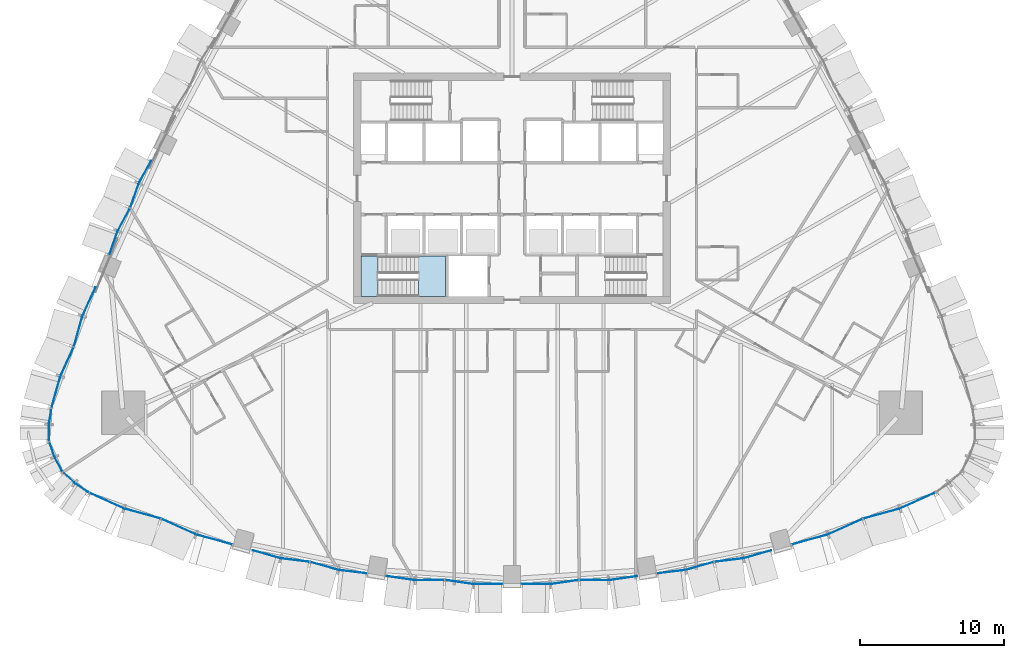
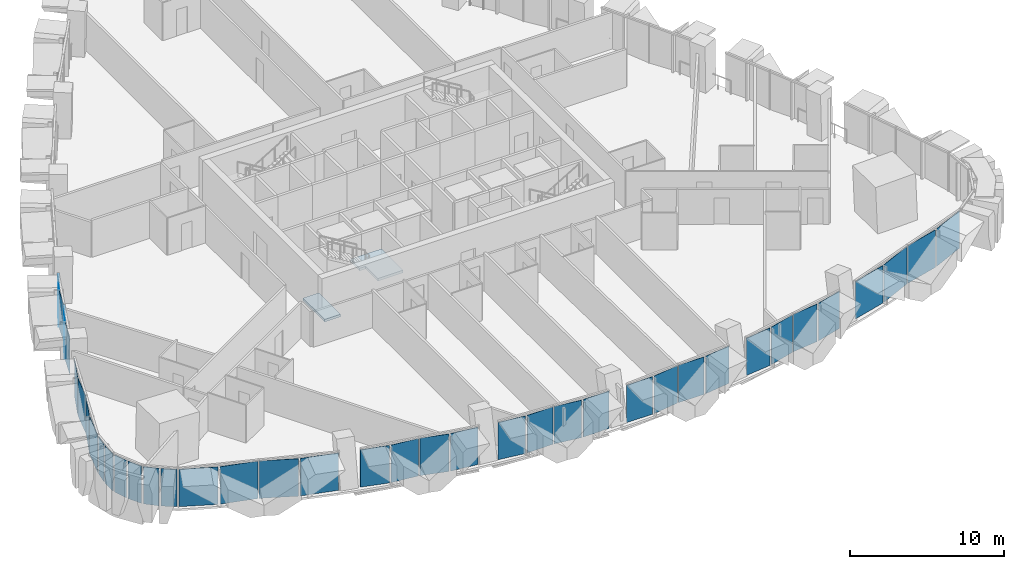
# One storey, part 10 of 24: 38 plates, 2 slabs, 12 elements without a shape of their own.
"""IFC4 building model written with IfcOpenShell, lengths in metres."""

from ifc_helpers import new_model, si_unit, direction, frame, origin, place, context, subcontext, project, spatial, polyline, outline, extrude, material, layer, layer_set, type_object, element, aggregate, save


model = new_model("IFC4")

# Units and contexts
model_context = context("Model", 3, precision=1e-05, world=origin(), true_north=direction((0.0, 1.0)))
body_context = subcontext(model_context, "Body", "Model", "MODEL_VIEW")
ifc_project = project(units=[si_unit("LENGTHUNIT", "METRE"), si_unit("AREAUNIT", "SQUARE_METRE"), si_unit("VOLUMEUNIT", "CUBIC_METRE"), si_unit("PLANEANGLEUNIT", "RADIAN"), si_unit("MASSUNIT", "GRAM", prefix="KILO")], contexts=[model_context])

# Site, building, storey
site_placement = place(None, origin())
site = spatial("IfcSite", under=ifc_project, at=site_placement, CompositionType="ELEMENT")
building_placement = place(site_placement, origin())
building = spatial("IfcBuilding", under=site, at=building_placement, Name="Sierra Prisma Convention Tower", CompositionType="ELEMENT")
storey_placement = place(building_placement, frame((0.0, 0.0, 55.39990234375)))
storey = spatial("IfcBuildingStorey", under=building, at=storey_placement, Name="L09", CompositionType="ELEMENT", Elevation=55.39990234375)

# Curtain wall, plates
ifc_material_1 = material(Name="Aluminium and glass curtain wall", Category="aluminium")
ifc_layer_1 = layer(ifc_material_1, 0.179931640625)
ifc_layer_set_1 = layer_set([ifc_layer_1], Name="CW-2 Faceted crystal curtain wall")
curtain_wall_type = type_object("IfcCurtainWallType", Name="CW-2 Faceted crystal curtain wall", PredefinedType="NOTDEFINED", material=ifc_layer_set_1)
curtain_wall_1_placement = place(storey_placement, origin())
curtain_wall_1 = element("IfcCurtainWall", 1, at=curtain_wall_1_placement, inside=storey, type_object=curtain_wall_type, Name="CW-2 S1 L09", PredefinedType="NOTDEFINED")
ifc_material_2 = material(Name="Tinted glass bronze-grey IGU", Category="glass")
ifc_layer_2 = layer(ifc_material_2, 0.028076171875)
ifc_layer_set_2 = layer_set([ifc_layer_2], Name="CW-2 crystal pane")
plate_type = type_object("IfcPlateType", Name="CW-2 crystal pane", PredefinedType="CURTAIN_PANEL", material=ifc_layer_set_2)
plate_1_placement = place(storey_placement, frame((-29.329345703125, -21.15380859375, 0.0), z_axis=(-0.412409035799, -0.910998785505, 0.0), x_axis=(0.910998785505, -0.412409035799, 0.0)))
plate_1 = element("IfcPlate", 2, at=plate_1_placement, type_object=plate_type, Name="CW-2 pane S1.1.1", PredefinedType="CURTAIN_PANEL", context=body_context, shape_type="SweptSolid", body=[
    extrude(outline(polyline([(0.0, 0.0), (2.5609340535036536, 0.0), (2.5609340535036536, 2.97998046875), (0.0, 2.97998046875), (0.0, 0.0)])), origin(), (0.0, 0.0, -1.0), 0.028076171875),
])
plate_2_placement = place(storey_placement, frame((-24.40478515625, -22.932373046875, 0.0), z_axis=(-0.264923826462, -0.964269343168, 0.0), x_axis=(-0.964269343168, 0.264923826462, 0.0)))
plate_2 = element("IfcPlate", 3, at=plate_2_placement, type_object=plate_type, Name="CW-2 pane S1.1.2", PredefinedType="CURTAIN_PANEL", context=body_context, shape_type="SweptSolid", body=[
    extrude(outline(polyline([(0.0, 0.0), (2.5609882128606993, 0.0), (2.5609882128606993, -2.97998046875), (0.0, -2.97998046875), (0.0, 0.0)])), origin(), (0.0, 0.0, -1.0), 0.028076171875),
])
plate_3_placement = place(storey_placement, frame((-24.3388671875, -22.9560546875, 0.0), z_axis=(-0.412452331357, -0.910979184372, 0.0), x_axis=(0.910979184372, -0.412452331357, 0.0)))
plate_3 = element("IfcPlate", 4, at=plate_3_placement, type_object=plate_type, Name="CW-2 pane S1.2.1", PredefinedType="CURTAIN_PANEL", context=body_context, shape_type="SweptSolid", body=[
    extrude(outline(polyline([(0.0, 0.0), (2.5612571540088447, 0.0), (2.5612571540088447, 2.97998046875), (0.0, 2.97998046875), (0.0, 0.0)])), origin(), (0.0, 0.0, -1.0), 0.028076171875),
])
plate_4_placement = place(storey_placement, frame((-19.4140625, -24.73486328125, 0.0), z_axis=(-0.264899475651, -0.964276032991, 0.0), x_axis=(-0.964276032991, 0.264899475651, 0.0)))
plate_4 = element("IfcPlate", 5, at=plate_4_placement, type_object=plate_type, Name="CW-2 pane S1.2.2", PredefinedType="CURTAIN_PANEL", context=body_context, shape_type="SweptSolid", body=[
    extrude(outline(polyline([(0.0, 0.0), (2.561223630997475, 0.0), (2.561223630997475, -2.9799804687500004), (0.0, -2.9799804687500004), (0.0, 0.0)])), origin(), (0.0, 0.0, -1.0), 0.028076171875),
])
aggregate(curtain_wall_1, [plate_1, plate_2, plate_3, plate_4])

curtain_wall_2_placement = place(storey_placement, origin())
curtain_wall_2 = element("IfcCurtainWall", 6, at=curtain_wall_2_placement, inside=storey, type_object=curtain_wall_type, Name="CW-2 S2 L09", PredefinedType="NOTDEFINED")
plate_5_placement = place(storey_placement, frame((-18.001953125, -25.14013671875, 0.0), z_axis=(-0.274009499332, -0.961726985311, 0.0), x_axis=(0.961726985311, -0.274009499332, 0.0)))
plate_5 = element("IfcPlate", 7, at=plate_5_placement, type_object=plate_type, Name="CW-2 pane S2.1.1", PredefinedType="CURTAIN_PANEL", context=body_context, shape_type="SweptSolid", body=[
    extrude(outline(polyline([(0.0, 0.0), (1.9486023228242395, 0.0), (1.9486023228242395, 2.97998046875), (0.0, 2.97998046875), (0.0, 0.0)])), origin(), (0.0, 0.0, -1.0), 0.028076171875),
])
plate_6_placement = place(storey_placement, frame((-14.06640625, -25.93408203125, 0.0), z_axis=(-0.120271503656, -0.992741036428, 0.0), x_axis=(-0.992741036428, 0.120271503656, 0.0)))
plate_6 = element("IfcPlate", 8, at=plate_6_placement, type_object=plate_type, Name="CW-2 pane S2.1.2", PredefinedType="CURTAIN_PANEL", context=body_context, shape_type="SweptSolid", body=[
    extrude(outline(polyline([(0.0, 0.0), (1.9487159707436454, 0.0), (1.9487159707436454, -2.97998046875), (0.0, -2.97998046875), (0.0, 0.0)])), origin(), (0.0, 0.0, -1.0), 0.028076171875),
])
plate_7_placement = place(storey_placement, frame((-13.997802734375, -25.947998046875, 0.0), z_axis=(-0.274125376554, -0.961693962718, 0.0), x_axis=(0.961693962718, -0.274125376554, 0.0)))
plate_7 = element("IfcPlate", 9, at=plate_7_placement, type_object=plate_type, Name="CW-2 pane S2.2.1", PredefinedType="CURTAIN_PANEL", context=body_context, shape_type="SweptSolid", body=[
    extrude(outline(polyline([(0.0, 0.0), (1.948669233820074, 0.0), (1.948669233820074, 2.97998046875), (0.0, 2.97998046875), (0.0, 0.0)])), origin(), (0.0, 0.0, -1.0), 0.028076171875),
])
plate_8_placement = place(storey_placement, frame((-10.062255859375, -26.7421875, 0.0), z_axis=(-0.120271503656, -0.992741036428, 0.0), x_axis=(-0.992741036428, 0.120271503656, 0.0)))
plate_8 = element("IfcPlate", 10, at=plate_8_placement, type_object=plate_type, Name="CW-2 pane S2.2.2", PredefinedType="CURTAIN_PANEL", context=body_context, shape_type="SweptSolid", body=[
    extrude(outline(polyline([(0.0, 0.0), (1.9487159707436454, 0.0), (1.9487159707436454, -2.97998046875), (0.0, -2.97998046875), (0.0, 0.0)])), origin(), (0.0, 0.0, -1.0), 0.028076171875),
])
aggregate(curtain_wall_2, [plate_5, plate_6, plate_7, plate_8])

curtain_wall_3_placement = place(storey_placement, origin())
curtain_wall_3 = element("IfcCurtainWall", 11, at=curtain_wall_3_placement, inside=storey, type_object=curtain_wall_type, Name="CW-2 S3 L09", PredefinedType="NOTDEFINED")
plate_9_placement = place(storey_placement, frame((-8.68115234375, -26.93017578125, 0.0), z_axis=(-0.144110904311, -0.989561542936, 0.0), x_axis=(0.989561542936, -0.144110904311, 0.0)))
plate_9 = element("IfcPlate", 12, at=plate_9_placement, type_object=plate_type, Name="CW-2 pane S3.1.1", PredefinedType="CURTAIN_PANEL", context=body_context, shape_type="SweptSolid", body=[
    extrude(outline(polyline([(0.0, 0.0), (1.931292526616374, 0.0), (1.931292526616374, 2.97998046875), (0.0, 2.97998046875), (0.0, 0.0)])), origin(), (0.0, 0.0, -1.0), 0.028076171875),
])
plate_10_placement = place(storey_placement, frame((-4.709716796875, -27.19287109375, 0.0), z_axis=(0.012514822625, -0.999921686541, 0.0), x_axis=(-0.999921686541, -0.012514822625, 0.0)))
plate_10 = element("IfcPlate", 13, at=plate_10_placement, type_object=plate_type, Name="CW-2 pane S3.1.2", PredefinedType="CURTAIN_PANEL", context=body_context, shape_type="SweptSolid", body=[
    extrude(outline(polyline([(0.0, 0.0), (1.9313035908149092, 0.0), (1.9313035908149092, -2.97998046875), (0.0, -2.97998046875), (0.0, 0.0)])), origin(), (0.0, 0.0, -1.0), 0.028076171875),
])
plate_11_placement = place(storey_placement, frame((-4.639892578125, -27.197509765625, 0.0), z_axis=(-0.144128933882, -0.989558917103, 0.0), x_axis=(0.989558917103, -0.144128933882, 0.0)))
plate_11 = element("IfcPlate", 14, at=plate_11_placement, type_object=plate_type, Name="CW-2 pane S3.2.1", PredefinedType="CURTAIN_PANEL", context=body_context, shape_type="SweptSolid", body=[
    extrude(outline(polyline([(0.0, 0.0), (1.931050934763322, 0.0), (1.931050934763322, 2.97998046875), (0.0, 2.97998046875), (0.0, 0.0)])), origin(), (0.0, 0.0, -1.0), 0.028076171875),
])
plate_12_placement = place(storey_placement, frame((-0.66845703125, -27.460205078125, 0.0), z_axis=(0.012514822625, -0.999921686541, 0.0), x_axis=(-0.999921686541, -0.012514822625, 0.0)))
plate_12 = element("IfcPlate", 15, at=plate_12_placement, type_object=plate_type, Name="CW-2 pane S3.2.2", PredefinedType="CURTAIN_PANEL", context=body_context, shape_type="SweptSolid", body=[
    extrude(outline(polyline([(0.0, 0.0), (1.9313035908149092, 0.0), (1.9313035908149092, -2.97998046875), (0.0, -2.97998046875), (0.0, 0.0)])), origin(), (0.0, 0.0, -1.0), 0.028076171875),
])
aggregate(curtain_wall_3, [plate_9, plate_10, plate_11, plate_12])

curtain_wall_4_placement = place(storey_placement, origin())
curtain_wall_4 = element("IfcCurtainWall", 16, at=curtain_wall_4_placement, inside=storey, type_object=curtain_wall_type, Name="CW-2 S4 L09", PredefinedType="NOTDEFINED")
plate_13_placement = place(storey_placement, frame((0.66845703125, -27.460205078125, 0.0), z_axis=(-0.012514822625, -0.999921686541, 0.0), x_axis=(0.999921686541, -0.012514822625, 0.0)))
plate_13 = element("IfcPlate", 17, at=plate_13_placement, type_object=plate_type, Name="CW-2 pane S4.1.1", PredefinedType="CURTAIN_PANEL", context=body_context, shape_type="SweptSolid", body=[
    extrude(outline(polyline([(0.0, 0.0), (1.9313035908149092, 0.0), (1.9313035908149092, 2.97998046875), (0.0, 2.97998046875), (0.0, 0.0)])), origin(), (0.0, 0.0, -1.0), 0.028076171875),
])
plate_14_placement = place(storey_placement, frame((4.639892578125, -27.197509765625, 0.0), z_axis=(0.144128933882, -0.989558917103, 0.0), x_axis=(-0.989558917103, -0.144128933882, 0.0)))
plate_14 = element("IfcPlate", 18, at=plate_14_placement, type_object=plate_type, Name="CW-2 pane S4.1.2", PredefinedType="CURTAIN_PANEL", context=body_context, shape_type="SweptSolid", body=[
    extrude(outline(polyline([(0.0, 0.0), (1.931050934763322, 0.0), (1.931050934763322, -2.97998046875), (0.0, -2.97998046875), (0.0, 0.0)])), origin(), (0.0, 0.0, -1.0), 0.028076171875),
])
plate_15_placement = place(storey_placement, frame((4.709716796875, -27.19287109375, 0.0), z_axis=(-0.012514822625, -0.999921686541, 0.0), x_axis=(0.999921686541, -0.012514822625, 0.0)))
plate_15 = element("IfcPlate", 19, at=plate_15_placement, type_object=plate_type, Name="CW-2 pane S4.2.1", PredefinedType="CURTAIN_PANEL", context=body_context, shape_type="SweptSolid", body=[
    extrude(outline(polyline([(0.0, 0.0), (1.9313035908149092, 0.0), (1.9313035908149092, 2.97998046875), (0.0, 2.97998046875), (0.0, 0.0)])), origin(), (0.0, 0.0, -1.0), 0.028076171875),
])
plate_16_placement = place(storey_placement, frame((8.68115234375, -26.93017578125, 0.0), z_axis=(0.144110904311, -0.989561542936, 0.0), x_axis=(-0.989561542936, -0.144110904311, 0.0)))
plate_16 = element("IfcPlate", 20, at=plate_16_placement, type_object=plate_type, Name="CW-2 pane S4.2.2", PredefinedType="CURTAIN_PANEL", context=body_context, shape_type="SweptSolid", body=[
    extrude(outline(polyline([(0.0, 0.0), (1.931292526616374, 0.0), (1.931292526616374, -2.97998046875), (0.0, -2.97998046875), (0.0, 0.0)])), origin(), (0.0, 0.0, -1.0), 0.028076171875),
])
aggregate(curtain_wall_4, [plate_13, plate_14, plate_15, plate_16])

curtain_wall_5_placement = place(storey_placement, origin())
curtain_wall_5 = element("IfcCurtainWall", 21, at=curtain_wall_5_placement, inside=storey, type_object=curtain_wall_type, Name="CW-2 S5 L09", PredefinedType="NOTDEFINED")
plate_17_placement = place(storey_placement, frame((10.062255859375, -26.7421875, 0.0), z_axis=(0.120271503656, -0.992741036428, 0.0), x_axis=(0.992741036428, 0.120271503656, 0.0)))
plate_17 = element("IfcPlate", 22, at=plate_17_placement, type_object=plate_type, Name="CW-2 pane S5.1.1", PredefinedType="CURTAIN_PANEL", context=body_context, shape_type="SweptSolid", body=[
    extrude(outline(polyline([(0.0, 0.0), (1.9487159707436454, 0.0), (1.9487159707436454, 2.97998046875), (0.0, 2.97998046875), (0.0, 0.0)])), origin(), (0.0, 0.0, -1.0), 0.028076171875),
])
plate_18_placement = place(storey_placement, frame((13.997802734375, -25.947998046875, 0.0), z_axis=(0.274125376554, -0.961693962718, 0.0), x_axis=(-0.961693962718, -0.274125376554, 0.0)))
plate_18 = element("IfcPlate", 23, at=plate_18_placement, type_object=plate_type, Name="CW-2 pane S5.1.2", PredefinedType="CURTAIN_PANEL", context=body_context, shape_type="SweptSolid", body=[
    extrude(outline(polyline([(0.0, 0.0), (1.948669233820074, 0.0), (1.948669233820074, -2.97998046875), (0.0, -2.97998046875), (0.0, 0.0)])), origin(), (0.0, 0.0, -1.0), 0.028076171875),
])
plate_19_placement = place(storey_placement, frame((14.06640625, -25.93408203125, 0.0), z_axis=(0.120271503656, -0.992741036428, 0.0), x_axis=(0.992741036428, 0.120271503656, 0.0)))
plate_19 = element("IfcPlate", 24, at=plate_19_placement, type_object=plate_type, Name="CW-2 pane S5.2.1", PredefinedType="CURTAIN_PANEL", context=body_context, shape_type="SweptSolid", body=[
    extrude(outline(polyline([(0.0, 0.0), (1.9487159707436454, 0.0), (1.9487159707436454, 2.97998046875), (0.0, 2.97998046875), (0.0, 0.0)])), origin(), (0.0, 0.0, -1.0), 0.028076171875),
])
plate_20_placement = place(storey_placement, frame((18.001953125, -25.14013671875, 0.0), z_axis=(0.274009499332, -0.961726985311, 0.0), x_axis=(-0.961726985311, -0.274009499332, 0.0)))
plate_20 = element("IfcPlate", 25, at=plate_20_placement, type_object=plate_type, Name="CW-2 pane S5.2.2", PredefinedType="CURTAIN_PANEL", context=body_context, shape_type="SweptSolid", body=[
    extrude(outline(polyline([(0.0, 0.0), (1.9486023228242395, 0.0), (1.9486023228242395, -2.97998046875), (0.0, -2.97998046875), (0.0, 0.0)])), origin(), (0.0, 0.0, -1.0), 0.028076171875),
])
aggregate(curtain_wall_5, [plate_17, plate_18, plate_19, plate_20])

curtain_wall_6_placement = place(storey_placement, origin())
curtain_wall_6 = element("IfcCurtainWall", 26, at=curtain_wall_6_placement, inside=storey, type_object=curtain_wall_type, Name="CW-2 S6 L09", PredefinedType="NOTDEFINED")
plate_21_placement = place(storey_placement, frame((19.414306640625, -24.734619140625, 0.0), z_axis=(0.264835183218, -0.964293692674, 0.0), x_axis=(0.964293692674, 0.264835183218, 0.0)))
plate_21 = element("IfcPlate", 27, at=plate_21_placement, type_object=plate_type, Name="CW-2 pane S6.1.1", PredefinedType="CURTAIN_PANEL", context=body_context, shape_type="SweptSolid", body=[
    extrude(outline(polyline([(0.0, 0.0), (2.5609235450127015, 0.0), (2.5609235450127015, 2.97998046875), (0.0, 2.97998046875), (0.0, 0.0)])), origin(), (0.0, 0.0, -1.0), 0.028076171875),
])
plate_22_placement = place(storey_placement, frame((24.3388671875, -22.9560546875, 0.0), z_axis=(0.412488149489, -0.910962966608, 0.0), x_axis=(-0.910962966608, -0.412488149489, 0.0)))
plate_22 = element("IfcPlate", 28, at=plate_22_placement, type_object=plate_type, Name="CW-2 pane S6.1.2", PredefinedType="CURTAIN_PANEL", context=body_context, shape_type="SweptSolid", body=[
    extrude(outline(polyline([(0.0, 0.0), (2.561034748961032, 0.0), (2.561034748961032, -2.97998046875), (0.0, -2.97998046875), (0.0, 0.0)])), origin(), (0.0, 0.0, -1.0), 0.028076171875),
])
plate_23_placement = place(storey_placement, frame((24.40478515625, -22.932373046875, 0.0), z_axis=(0.264899475651, -0.964276032991, 0.0), x_axis=(0.964276032991, 0.264899475651, 0.0)))
plate_23 = element("IfcPlate", 29, at=plate_23_placement, type_object=plate_type, Name="CW-2 pane S6.2.1", PredefinedType="CURTAIN_PANEL", context=body_context, shape_type="SweptSolid", body=[
    extrude(outline(polyline([(0.0, 0.0), (2.561223630997475, 0.0), (2.561223630997475, 2.9799804687500004), (0.0, 2.9799804687500004), (0.0, 0.0)])), origin(), (0.0, 0.0, -1.0), 0.028076171875),
])
plate_24_placement = place(storey_placement, frame((29.329345703125, -21.15380859375, 0.0), z_axis=(0.412409035799, -0.910998785505, 0.0), x_axis=(-0.910998785505, -0.412409035799, 0.0)))
plate_24 = element("IfcPlate", 30, at=plate_24_placement, type_object=plate_type, Name="CW-2 pane S6.2.2", PredefinedType="CURTAIN_PANEL", context=body_context, shape_type="SweptSolid", body=[
    extrude(outline(polyline([(0.0, 0.0), (2.5609340535036536, 0.0), (2.5609340535036536, -2.97998046875), (0.0, -2.97998046875), (0.0, 0.0)])), origin(), (0.0, 0.0, -1.0), 0.028076171875),
])
aggregate(curtain_wall_6, [plate_21, plate_22, plate_23, plate_24])

curtain_wall_7_placement = place(storey_placement, origin())
curtain_wall_7 = element("IfcCurtainWall", 31, at=curtain_wall_7_placement, inside=storey, type_object=curtain_wall_type, Name="CW-2 NW5 L09", PredefinedType="NOTDEFINED")
plate_25_placement = place(storey_placement, frame((-25.0703125, 1.930419921875, 0.0), z_axis=(-0.879170280611, 0.476507730987, 0.0), x_axis=(-0.476507730987, -0.879170280611, 0.0)))
plate_25 = element("IfcPlate", 32, at=plate_25_placement, type_object=plate_type, Name="CW-2 pane NW5.1.1", PredefinedType="CURTAIN_PANEL", context=body_context, shape_type="SweptSolid", body=[
    extrude(outline(polyline([(0.0, 0.0), (1.7158734265065476, 0.0), (1.7158734265065476, 2.97998046875), (0.0, 2.97998046875), (0.0, 0.0)])), origin(), (0.0, 0.0, -1.0), 0.028076171875),
])
plate_26_placement = place(storey_placement, frame((-26.512451171875, -1.314697265625, 0.0), z_axis=(-0.942869463712, 0.333162384432, 0.0), x_axis=(0.333162384432, 0.942869463712, 0.0)))
plate_26 = element("IfcPlate", 33, at=plate_26_placement, type_object=plate_type, Name="CW-2 pane NW5.1.2", PredefinedType="CURTAIN_PANEL", context=body_context, shape_type="SweptSolid", body=[
    extrude(outline(polyline([(0.0, 0.0), (1.716212185014519, 0.0), (1.716212185014519, -2.97998046875), (0.0, -2.97998046875), (0.0, 0.0)])), origin(), (0.0, 0.0, -1.0), 0.028076171875),
])
plate_27_placement = place(storey_placement, frame((-26.540771484375, -1.378662109375, 0.0), z_axis=(-0.879110670708, 0.476617696532, 0.0), x_axis=(-0.476617696532, -0.879110670708, 0.0)))
plate_27 = element("IfcPlate", 34, at=plate_27_placement, type_object=plate_type, Name="CW-2 pane NW5.2.1", PredefinedType="CURTAIN_PANEL", context=body_context, shape_type="SweptSolid", body=[
    extrude(outline(polyline([(0.0, 0.0), (1.7159897748257917, 0.0), (1.7159897748257917, 2.97998046875), (0.0, 2.97998046875), (0.0, 0.0)])), origin(), (0.0, 0.0, -1.0), 0.028076171875),
])
plate_28_placement = place(storey_placement, frame((-27.983154296875, -4.623779296875, 0.0), z_axis=(-0.942869463712, 0.333162384432, 0.0), x_axis=(0.333162384432, 0.942869463712, 0.0)))
plate_28 = element("IfcPlate", 35, at=plate_28_placement, type_object=plate_type, Name="CW-2 pane NW5.2.2", PredefinedType="CURTAIN_PANEL", context=body_context, shape_type="SweptSolid", body=[
    extrude(outline(polyline([(0.0, 0.0), (1.716212185014519, 0.0), (1.716212185014519, -2.97998046875), (0.0, -2.97998046875), (0.0, 0.0)])), origin(), (0.0, 0.0, -1.0), 0.028076171875),
])
aggregate(curtain_wall_7, [plate_25, plate_26, plate_27, plate_28])

curtain_wall_8_placement = place(storey_placement, origin())
curtain_wall_8 = element("IfcCurtainWall", 36, at=curtain_wall_8_placement, inside=storey, type_object=curtain_wall_type, Name="CW-2 NW6 L09", PredefinedType="NOTDEFINED")
plate_29_placement = place(storey_placement, frame((-28.921875, -6.846923828125, 0.0), z_axis=(-0.909239715259, 0.416272915521, 0.0), x_axis=(-0.416272915521, -0.909239715259, 0.0)))
plate_29 = element("IfcPlate", 37, at=plate_29_placement, type_object=plate_type, Name="CW-2 pane NW6.1.1", PredefinedType="CURTAIN_PANEL", context=body_context, shape_type="SweptSolid", body=[
    extrude(outline(polyline([(0.0, 0.0), (2.1360029036157497, 0.0), (2.1360029036157497, 2.97998046875), (0.0, 2.97998046875), (0.0, 0.0)])), origin(), (0.0, 0.0, -1.0), 0.028076171875),
])
plate_30_placement = place(storey_placement, frame((-30.43017578125, -10.968017578125, 0.0), z_axis=(-0.963158442177, 0.268934592909, 0.0), x_axis=(0.268934592909, 0.963158442177, 0.0)))
plate_30 = element("IfcPlate", 38, at=plate_30_placement, type_object=plate_type, Name="CW-2 pane NW6.1.2", PredefinedType="CURTAIN_PANEL", context=body_context, shape_type="SweptSolid", body=[
    extrude(outline(polyline([(0.0, 0.0), (2.1360691624366828, 0.0), (2.1360691624366828, -2.9799804687500004), (0.0, -2.9799804687500004), (0.0, 0.0)])), origin(), (0.0, 0.0, -1.0), 0.028076171875),
])
plate_31_placement = place(storey_placement, frame((-30.454345703125, -11.03369140625, 0.0), z_axis=(-0.909219906273, 0.416316180368, 0.0), x_axis=(-0.416316180368, -0.909219906273, 0.0)))
plate_31 = element("IfcPlate", 39, at=plate_31_placement, type_object=plate_type, Name="CW-2 pane NW6.2.1", PredefinedType="CURTAIN_PANEL", context=body_context, shape_type="SweptSolid", body=[
    extrude(outline(polyline([(0.0, 0.0), (2.135780923681355, 0.0), (2.135780923681355, 2.97998046875), (0.0, 2.97998046875), (0.0, 0.0)])), origin(), (0.0, 0.0, -1.0), 0.028076171875),
])
plate_32_placement = place(storey_placement, frame((-31.962646484375, -15.154541015625, 0.0), z_axis=(-0.963120557911, 0.269070234194, 0.0), x_axis=(0.269070234194, 0.963120557911, 0.0)))
plate_32 = element("IfcPlate", 40, at=plate_32_placement, type_object=plate_type, Name="CW-2 pane NW6.2.2", PredefinedType="CURTAIN_PANEL", context=body_context, shape_type="SweptSolid", body=[
    extrude(outline(polyline([(0.0, 0.0), (2.1358996953737104, 0.0), (2.1358996953737104, -2.97998046875), (0.0, -2.97998046875), (0.0, 0.0)])), origin(), (0.0, 0.0, -1.0), 0.028076171875),
])
aggregate(curtain_wall_8, [plate_29, plate_30, plate_31, plate_32])

curtain_wall_9_placement = place(storey_placement, origin())
curtain_wall_9 = element("IfcCurtainWall", 41, at=curtain_wall_9_placement, inside=storey, type_object=curtain_wall_type, Name="CW-2 SW1 L09", PredefinedType="NOTDEFINED")
plate_33_placement = place(storey_placement, frame((-31.99169921875, -15.290283203125, 0.0), z_axis=(-0.98841259831, 0.151791091644, 0.0), x_axis=(-0.151791091644, -0.98841259831, 0.0)))
plate_33 = element("IfcPlate", 42, at=plate_33_placement, type_object=plate_type, Name="CW-2 pane SW1.1.1", PredefinedType="CURTAIN_PANEL", context=body_context, shape_type="SweptSolid", body=[
    extrude(outline(polyline([(0.0, 0.0), (1.0342004934204614, 0.0), (1.0342004934204614, 2.97998046875), (0.0, 2.97998046875), (0.0, 0.0)])), origin(), (0.0, 0.0, -1.0), 0.028076171875),
])
plate_34_placement = place(storey_placement, frame((-32.153076171875, -17.475830078125, 0.0), z_axis=(-0.999987711788, -0.004957446163, 0.0), x_axis=(-0.004957446163, 0.999987711788, 0.0)))
plate_34 = element("IfcPlate", 43, at=plate_34_placement, type_object=plate_type, Name="CW-2 pane SW1.1.2", PredefinedType="CURTAIN_PANEL", context=body_context, shape_type="SweptSolid", body=[
    extrude(outline(polyline([(0.0, 0.0), (1.034192395875131, 0.0), (1.034192395875131, -2.97998046875), (0.0, -2.97998046875), (0.0, 0.0)])), origin(), (0.0, 0.0, -1.0), 0.028076171875),
])
aggregate(curtain_wall_9, [plate_33, plate_34])

curtain_wall_10_placement = place(storey_placement, origin())
curtain_wall_10 = element("IfcCurtainWall", 44, at=curtain_wall_10_placement, inside=storey, type_object=curtain_wall_type, Name="CW-2 SW2 L09", PredefinedType="NOTDEFINED")
plate_35_placement = place(storey_placement, frame((-32.130126953125, -17.60986328125, 0.0), z_axis=(-0.944519093463, -0.328456514752, 0.0), x_axis=(0.328456514752, -0.944519093463, 0.0)))
plate_35 = element("IfcPlate", 45, at=plate_35_placement, type_object=plate_type, Name="CW-2 pane SW2.1.1", PredefinedType="CURTAIN_PANEL", context=body_context, shape_type="SweptSolid", body=[
    extrude(outline(polyline([(0.0, 0.0), (1.0339256313168286, 0.0), (1.0339256313168286, 2.97998046875), (0.0, 2.97998046875), (0.0, 0.0)])), origin(), (0.0, 0.0, -1.0), 0.028076171875),
])
plate_36_placement = place(storey_placement, frame((-31.25, -19.616943359375, 0.0), z_axis=(-0.881416796691, -0.472339317134, 0.0), x_axis=(-0.472339317134, 0.881416796691, 0.0)))
plate_36 = element("IfcPlate", 46, at=plate_36_placement, type_object=plate_type, Name="CW-2 pane SW2.1.2", PredefinedType="CURTAIN_PANEL", context=body_context, shape_type="SweptSolid", body=[
    extrude(outline(polyline([(0.0, 0.0), (1.0342678936596916, 0.0), (1.0342678936596916, -2.97998046875), (0.0, -2.97998046875), (0.0, 0.0)])), origin(), (0.0, 0.0, -1.0), 0.028076171875),
])
aggregate(curtain_wall_10, [plate_35, plate_36])

curtain_wall_11_placement = place(storey_placement, origin())
curtain_wall_11 = element("IfcCurtainWall", 47, at=curtain_wall_11_placement, inside=storey, type_object=curtain_wall_type, Name="CW-2 SW3 L09", PredefinedType="NOTDEFINED")
plate_37_placement = place(storey_placement, frame((-31.1669921875, -19.724365234375, 0.0), z_axis=(-0.681148094445, -0.732145664082, 0.0), x_axis=(0.732145664082, -0.681148094445, 0.0)))
plate_37 = element("IfcPlate", 48, at=plate_37_placement, type_object=plate_type, Name="CW-2 pane SW3.1.1", PredefinedType="CURTAIN_PANEL", context=body_context, shape_type="SweptSolid", body=[
    extrude(outline(polyline([(0.0, 0.0), (1.0340566300761322, 0.0), (1.0340566300761322, 2.97998046875), (0.0, 2.97998046875), (0.0, 0.0)])), origin(), (0.0, 0.0, -1.0), 0.028076171875),
])
plate_38_placement = place(storey_placement, frame((-29.4501953125, -21.08642578125, 0.0), z_axis=(-0.558073265624, -0.829791678794, 0.0), x_axis=(-0.829791678794, 0.558073265624, 0.0)))
plate_38 = element("IfcPlate", 49, at=plate_38_placement, type_object=plate_type, Name="CW-2 pane SW3.1.2", PredefinedType="CURTAIN_PANEL", context=body_context, shape_type="SweptSolid", body=[
    extrude(outline(polyline([(0.0, 0.0), (1.0341804079336048, 0.0), (1.0341804079336048, -2.97998046875), (0.0, -2.97998046875), (0.0, 0.0)])), origin(), (0.0, 0.0, -1.0), 0.028076171875),
])
aggregate(curtain_wall_11, [plate_37, plate_38])

# Stair, slab
ifc_material_3 = material(Name="Concrete C30/37", Category="concrete")
stair_type = type_object("IfcStairType", Name="Stair dog-leg 1200 RC", PredefinedType="HALF_TURN_STAIR", material=ifc_material_3)
stair_placement = place(storey_placement, origin())
stair = element("IfcStair", 50, at=stair_placement, inside=storey, type_object=stair_type, Name="L09 S1", PredefinedType="HALF_TURN_STAIR")
ifc_material_4 = material(Name="Concrete C35/45", Category="concrete")
ifc_layer_3 = layer(ifc_material_4, 0.199951171875)
ifc_layer_set_3 = layer_set([ifc_layer_3], Name="Stair landing slab")
slab_type = type_object("IfcSlabType", Name="Stair landing slab", PredefinedType="LANDING", material=ifc_layer_set_3)
slab_1_placement = place(storey_placement, frame((0.0, 0.0, 1.650146484375)))
slab_1 = element("IfcSlab", 51, at=slab_1_placement, type_object=slab_type, Name="S1 landing 1", PredefinedType="LANDING", context=body_context, shape_type="SweptSolid", body=[
    extrude(outline(polyline([(-4.60009765625, -4.699951171875), (-4.60009765625, -7.5), (-6.501953125, -7.5), (-6.501953125, -5.89990234375), (-6.949951171875, -5.89990234375), (-6.949951171875, -4.699951171875), (-4.60009765625, -4.699951171875)])), origin(), (0.0, 0.0, 1.0), 0.199951171875),
])
aggregate(stair, [slab_1])

# Slab
slab_2_placement = place(storey_placement, frame((0.0, 0.0, -0.199951171875)))
element("IfcSlab", 52, at=slab_2_placement, inside=storey, type_object=slab_type, Name="S1 floor landing L09", PredefinedType="LANDING", context=body_context, shape_type="SweptSolid", body=[
    extrude(outline(polyline([(-10.5, -7.5), (-9.298095703125, -7.5), (-9.298095703125, -4.699951171875), (-10.5, -4.699951171875), (-10.5, -7.5)])), origin(), (0.0, 0.0, 1.0), 0.199951171875),
])

save(model, "model.ifc")
